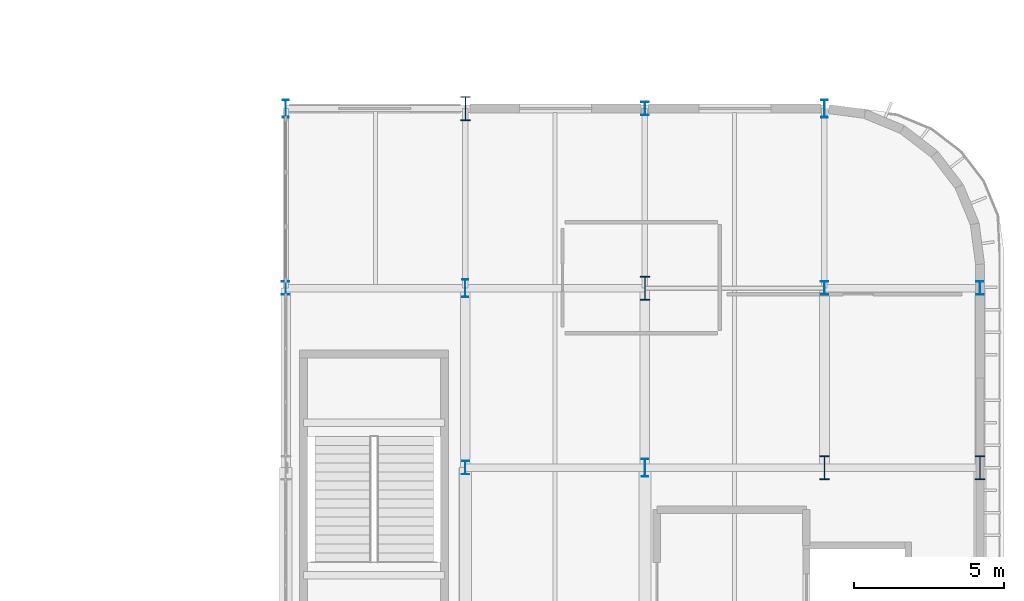
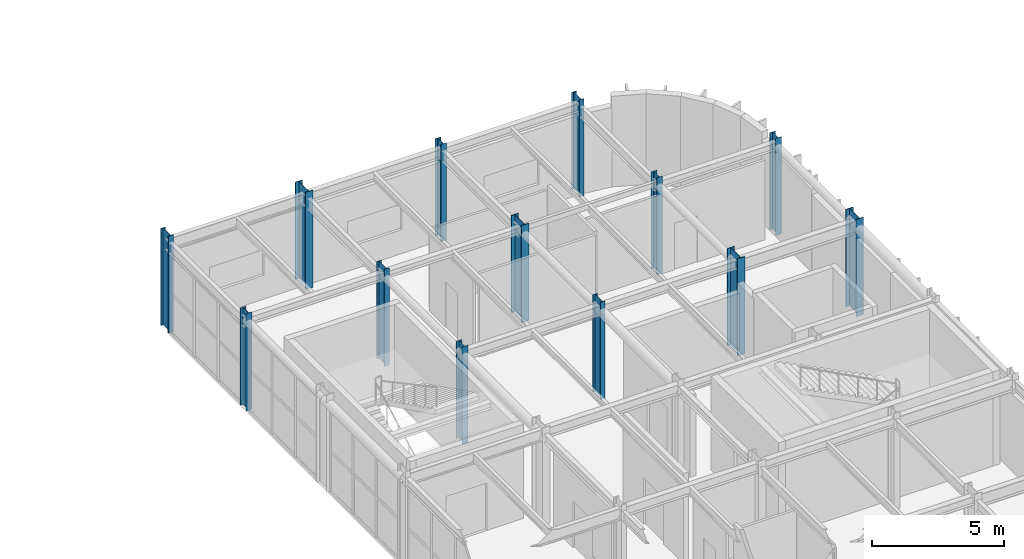
# One storey, part 19 of 84: 13 columns.
"""IFC4 building model written with IfcOpenShell, lengths in metres."""

from ifc_helpers import new_model, si_unit, direction, frame, origin, origin_2d, place, context, subcontext, project, spatial, i_section, extrude, material, material_profile, profile_set, type_object, element, save


model = new_model("IFC4")

# Units and contexts
model_context = context("Model", 3, precision=1e-05, world=origin(), true_north=direction((0.0, 1.0)))
body_context = subcontext(model_context, "Body", "Model", "MODEL_VIEW")
ifc_project = project(units=[si_unit("LENGTHUNIT", "METRE"), si_unit("AREAUNIT", "SQUARE_METRE"), si_unit("VOLUMEUNIT", "CUBIC_METRE"), si_unit("PLANEANGLEUNIT", "RADIAN"), si_unit("MASSUNIT", "GRAM", prefix="KILO")], contexts=[model_context])

# Site, building, storey
site_placement = place(None, origin())
site = spatial("IfcSite", under=ifc_project, at=site_placement, CompositionType="ELEMENT")
building_placement = place(site_placement, origin())
building = spatial("IfcBuilding", under=site, at=building_placement, Name="Varnakota Square Police Headquarters", CompositionType="ELEMENT")
storey_placement = place(building_placement, frame((0.0, 0.0, 13.5)))
storey = spatial("IfcBuildingStorey", under=building, at=storey_placement, Name="L03", CompositionType="ELEMENT", Elevation=13.5)

# Columns
ifc_material = material(Name="Steel IS 2062 Grade 350", Category="steel")
ifc_material_profile_1 = material_profile(ifc_material, i_section(OverallWidth=0.320068359375, OverallDepth=0.800048828125, WebThickness=0.01611328125, FlangeThickness=0.028076171875, at=origin_2d()), Name="BPG 800x320")
ifc_profile_set_1 = profile_set([ifc_material_profile_1], Name="Steel IS 2062 Grade 350")
column_type_1 = type_object("IfcColumnType", Name="COL-BPG800", PredefinedType="COLUMN", material=ifc_profile_set_1)
for number, where, z_axis, x_axis, name in (
    (1, (144.0, 45.0, 0.0), (0.0, 0.0, 1.0), (1.0, 0.0, 0.0), "Column X1440-Y0450 L03"),
    (2, (150.0, 39.0, 0.0), (0.0, 0.0, 1.0), (1.0, 0.0, 0.0), "Column X1500-Y0390 L03"),
    (3, (156.0, 33.0, 0.0), (0.0, 0.0, 1.0), (1.0, 0.0, 0.0), "Column X1560-Y0330 L03"),
    (4, (161.199951171875, 33.0, 0.0), (0.0, 0.0, 1.0), (1.0, 0.0, 0.0), "Column X1612-Y0330 L03"),
):
    element("IfcColumn", number, at=place(storey_placement, frame(where, z_axis=z_axis, x_axis=x_axis)), inside=storey, type_object=column_type_1, Name=name, PredefinedType="COLUMN", context=body_context, shape_type="SweptSolid", body=[
        extrude(i_section(OverallWidth=0.320068359375, OverallDepth=0.800048828125, WebThickness=0.01611328125, FlangeThickness=0.028076171875, at=origin_2d()), origin(), (0.0, 0.0, 1.0), 4.5),
    ])
ifc_material_profile_2 = material_profile(ifc_material, i_section(OverallWidth=0.25, OverallDepth=0.449951171875, WebThickness=0.01123046875, FlangeThickness=0.013671875, FilletRadius=0.014892578125, at=origin_2d()), Name="ISHB 450")
ifc_profile_set_2 = profile_set([ifc_material_profile_2], Name="Steel IS 2062 Grade 350")
column_type_2 = type_object("IfcColumnType", Name="COL-ISHB450", PredefinedType="COLUMN", material=ifc_profile_set_2)
for number, where, z_axis, x_axis, name in (
    (5, (138.0, 39.0, 0.0), (0.0, 0.0, 1.0), (1.0, 0.0, 0.0), "Column X1380-Y0390 L03"),
    (6, (144.0, 33.0, 0.0), (0.0, 0.0, 1.0), (1.0, 0.0, 0.0), "Column X1440-Y0330 L03"),
    (7, (150.0, 45.0, 0.0), (0.0, 0.0, 1.0), (1.0, 0.0, 0.0), "Column X1500-Y0450 L03"),
    (8, (156.0, 39.0, 0.0), (0.0, 0.0, 1.0), (1.0, 0.0, 0.0), "Column X1560-Y0390 L03"),
    (9, (161.199951171875, 39.0, 0.0), (0.0, 0.0, 1.0), (1.0, 0.0, 0.0), "Column X1612-Y0390 L03"),
):
    element("IfcColumn", number, at=place(storey_placement, frame(where, z_axis=z_axis, x_axis=x_axis)), inside=storey, type_object=column_type_2, Name=name, PredefinedType="COLUMN", context=body_context, shape_type="SweptSolid", body=[
        extrude(i_section(OverallWidth=0.25, OverallDepth=0.449951171875, WebThickness=0.01123046875, FlangeThickness=0.013671875, FilletRadius=0.014892578125, at=origin_2d()), origin(), (0.0, 0.0, 1.0), 4.5),
    ])
ifc_material_profile_3 = material_profile(ifc_material, i_section(OverallWidth=0.2099609375, OverallDepth=0.60009765625, WebThickness=0.011962890625, FlangeThickness=0.020751953125, FilletRadius=0.02001953125, at=origin_2d()), Name="ISMB 600")
ifc_profile_set_3 = profile_set([ifc_material_profile_3], Name="Steel IS 2062 Grade 350")
column_type_3 = type_object("IfcColumnType", Name="COL-ISMB600", PredefinedType="COLUMN", material=ifc_profile_set_3)
for number, where, z_axis, x_axis, name in (
    (10, (138.0, 45.0, 0.0), (0.0, 0.0, 1.0), (1.0, 0.0, 0.0), "Column X1380-Y0450 L03"),
    (11, (144.0, 39.0, 0.0), (0.0, 0.0, 1.0), (1.0, 0.0, 0.0), "Column X1440-Y0390 L03"),
    (12, (150.0, 33.0, 0.0), (0.0, 0.0, 1.0), (1.0, 0.0, 0.0), "Column X1500-Y0330 L03"),
    (13, (156.0, 45.0, 0.0), (0.0, 0.0, 1.0), (1.0, 0.0, 0.0), "Column X1560-Y0450 L03"),
):
    element("IfcColumn", number, at=place(storey_placement, frame(where, z_axis=z_axis, x_axis=x_axis)), inside=storey, type_object=column_type_3, Name=name, PredefinedType="COLUMN", context=body_context, shape_type="SweptSolid", body=[
        extrude(i_section(OverallWidth=0.2099609375, OverallDepth=0.60009765625, WebThickness=0.011962890625, FlangeThickness=0.020751953125, FilletRadius=0.02001953125, at=origin_2d()), origin(), (0.0, 0.0, 1.0), 4.5),
    ])

save(model, "model.ifc")
